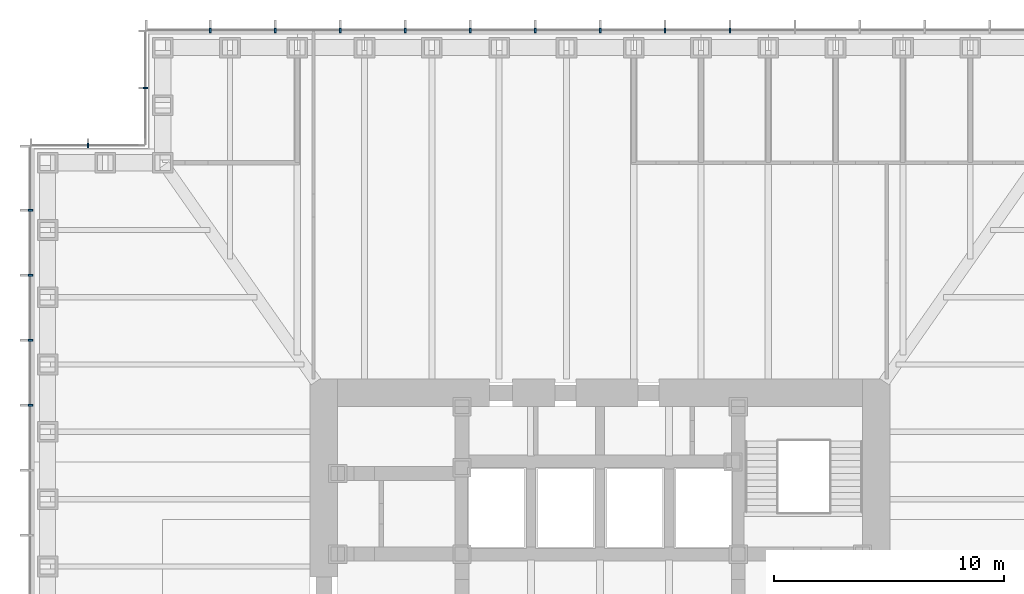
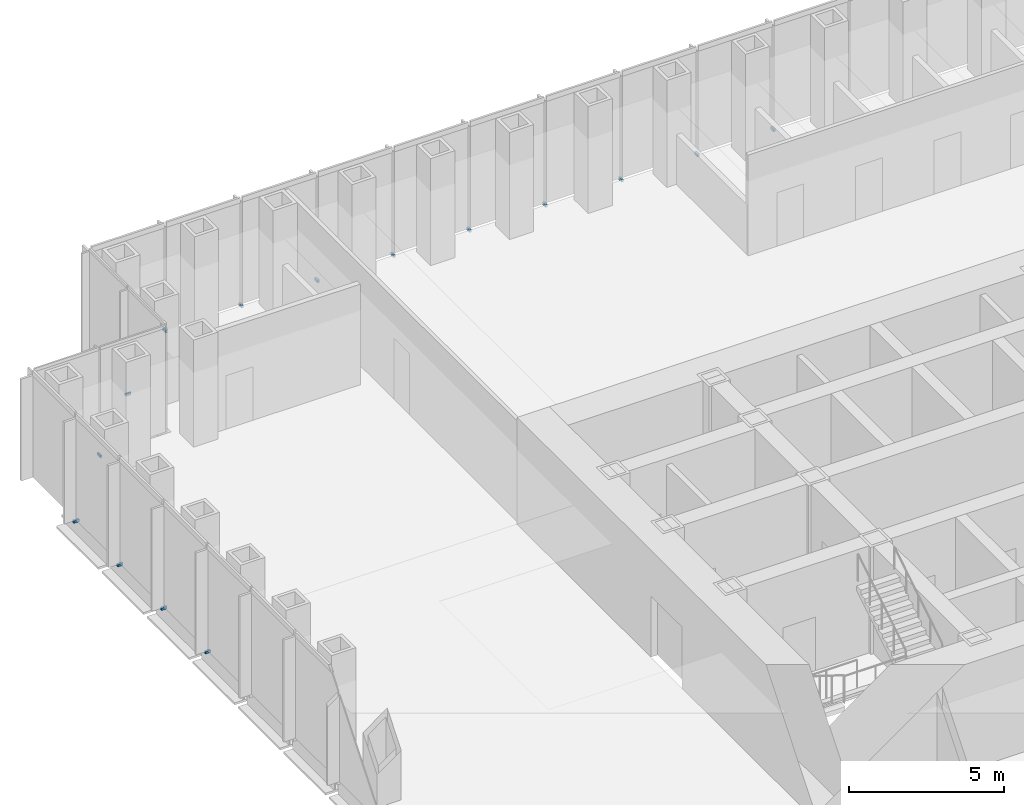
# One storey, part 15 of 17: 15 discrete accessories.
"""IFC4 building model written with IfcOpenShell, lengths in metres."""

from ifc_helpers import new_model, si_unit, direction, frame, origin, origin_2d, place, context, subcontext, project, spatial, rectangle, extrude, element, save


model = new_model("IFC4")

# Units and contexts
model_context = context("Model", 3, precision=1e-05, world=origin(), true_north=direction((0.0, 1.0)))
body_context = subcontext(model_context, "Body", "Model", "MODEL_VIEW")
ifc_project = project(units=[si_unit("LENGTHUNIT", "METRE"), si_unit("AREAUNIT", "SQUARE_METRE"), si_unit("VOLUMEUNIT", "CUBIC_METRE"), si_unit("PLANEANGLEUNIT", "RADIAN"), si_unit("MASSUNIT", "GRAM", prefix="KILO")], contexts=[model_context])

# Site, building, storey
site_placement = place(None, origin())
site = spatial("IfcSite", under=ifc_project, at=site_placement, CompositionType="ELEMENT")
building_placement = place(site_placement, origin())
building = spatial("IfcBuilding", under=site, at=building_placement, Name="Daluyong Arena Tower", CompositionType="ELEMENT")
storey_placement = place(building_placement, frame((0.0, 0.0, 97.89990234375)))
storey = spatial("IfcBuildingStorey", under=building, at=storey_placement, Name="L21", CompositionType="ELEMENT", Elevation=97.89990234375)

# Discrete accessories
for number, where, z_axis, x_axis, name in (
    (1, (61.642822265625, 104.75, -0.099853515625), (0.0, 0.0, 1.0), (-1.0, 0.0, 0.0), "curtain wall L21 N anchor bracket 6"),
    (2, (58.821533203125, 104.75, -0.099853515625), (0.0, 0.0, 1.0), (-1.0, 0.0, 0.0), "curtain wall L21 N anchor bracket 7"),
    (3, (56.0, 104.75, -0.099853515625), (0.0, 0.0, 1.0), (-1.0, 0.0, 0.0), "curtain wall L21 N anchor bracket 8"),
    (4, (53.178466796875, 104.75, -0.099853515625), (0.0, 0.0, 1.0), (-1.0, 0.0, 0.0), "curtain wall L21 N anchor bracket 9"),
    (5, (50.357177734375, 104.75, -0.099853515625), (0.0, 0.0, 1.0), (-1.0, 0.0, 0.0), "curtain wall L21 N anchor bracket 10"),
    (6, (47.53564453125, 104.75, -0.099853515625), (0.0, 0.0, 1.0), (-1.0, 0.0, 0.0), "curtain wall L21 N anchor bracket 11"),
    (7, (44.71435546875, 104.75, -0.099853515625), (0.0, 0.0, 1.0), (-1.0, 0.0, 0.0), "curtain wall L21 N anchor bracket 12"),
    (8, (41.892822265625, 104.75, -0.099853515625), (0.0, 0.0, 1.0), (-1.0, 0.0, 0.0), "curtain wall L21 N anchor bracket 13"),
    (9, (39.071533203125, 104.75, -0.099853515625), (0.0, 0.0, 1.0), (-1.0, 0.0, 0.0), "curtain wall L21 N anchor bracket 14"),
):
    element("IfcDiscreteAccessory", number, at=place(storey_placement, frame(where, z_axis=z_axis, x_axis=x_axis)), inside=storey, Name=name, PredefinedType="BRACKET", context=body_context, shape_type="SweptSolid", body=[
        extrude(rectangle(XDim=0.080078125, YDim=0.199951171875, at=origin_2d()), origin(), (0.0, 0.0, 1.0), 0.10009765625),
    ])
for number, where, z_axis, x_axis, name in (
    (10, (36.25, 102.25, -0.099853515625), (0.0, 0.0, 1.0), (0.0, -1.0, 0.0), "curtain wall L21 NW-W anchor bracket 2"),
    (11, (33.75, 99.75, -0.099853515625), (0.0, 0.0, 1.0), (-1.0, 0.0, 0.0), "curtain wall L21 NW-N anchor bracket 2"),
):
    element("IfcDiscreteAccessory", number, at=place(storey_placement, frame(where, z_axis=z_axis, x_axis=x_axis)), inside=storey, Name=name, PredefinedType="BRACKET", context=body_context, shape_type="SweptSolid", body=[
        extrude(rectangle(XDim=0.06005859375, YDim=0.199951171875, at=origin_2d()), origin(), (0.0, 0.0, 1.0), 0.10009765625),
    ])
for number, where, z_axis, x_axis, name in (
    (12, (31.25, 96.928466796875, -0.099853515625), (0.0, 0.0, 1.0), (0.0, -1.0, 0.0), "curtain wall L21 W anchor bracket 2"),
    (13, (31.25, 94.107177734375, -0.099853515625), (0.0, 0.0, 1.0), (0.0, -1.0, 0.0), "curtain wall L21 W anchor bracket 3"),
    (14, (31.25, 91.28564453125, -0.099853515625), (0.0, 0.0, 1.0), (0.0, -1.0, 0.0), "curtain wall L21 W anchor bracket 4"),
    (15, (31.25, 88.46435546875, -0.099853515625), (0.0, 0.0, 1.0), (0.0, -1.0, 0.0), "curtain wall L21 W anchor bracket 5"),
):
    element("IfcDiscreteAccessory", number, at=place(storey_placement, frame(where, z_axis=z_axis, x_axis=x_axis)), inside=storey, Name=name, PredefinedType="BRACKET", context=body_context, shape_type="SweptSolid", body=[
        extrude(rectangle(XDim=0.080078125, YDim=0.199951171875, at=origin_2d()), origin(), (0.0, 0.0, 1.0), 0.10009765625),
    ])

save(model, "model.ifc")
